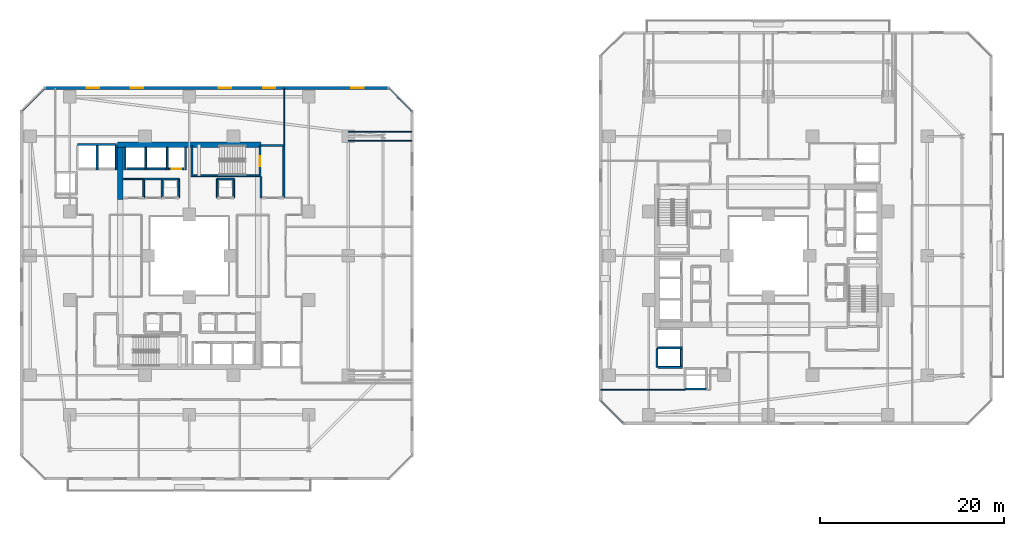
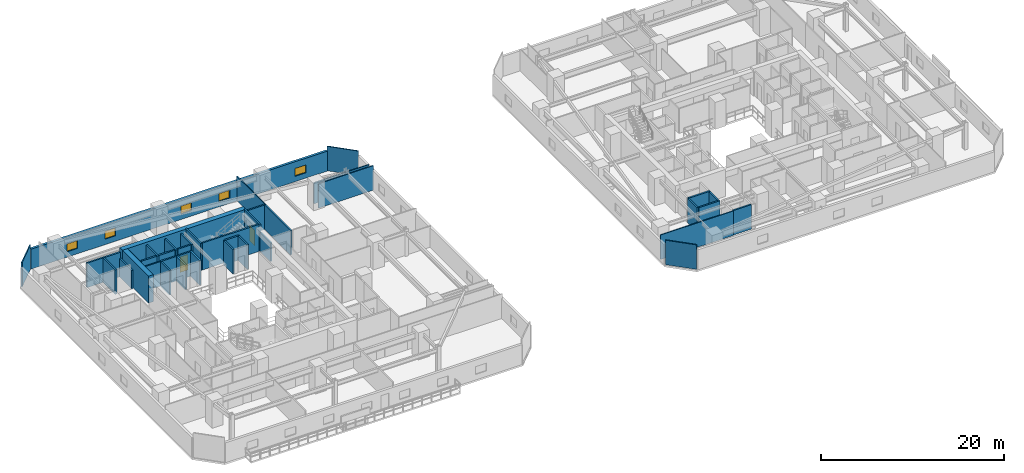
# One storey, part 24 of 36: 40 walls, 5 windows, 2 doors, 7 openings.
"""IFC4 building model written with IfcOpenShell, lengths in metres."""

from ifc_helpers import new_model, si_unit, direction, frame, frame_2d, origin, place, context, subcontext, project, spatial, rectangle, extrude, material, layer, layer_set, type_object, element, fill, save


model = new_model("IFC4")

# Units and contexts
model_context = context("Model", 3, precision=1e-05, world=origin(), true_north=direction((0.0, 1.0)))
body_context = subcontext(model_context, "Body", "Model", "MODEL_VIEW")
ifc_project = project(units=[si_unit("LENGTHUNIT", "METRE"), si_unit("AREAUNIT", "SQUARE_METRE"), si_unit("VOLUMEUNIT", "CUBIC_METRE"), si_unit("PLANEANGLEUNIT", "RADIAN"), si_unit("MASSUNIT", "GRAM", prefix="KILO")], contexts=[model_context])

# Site, building, storey
site_placement = place(None, origin())
site = spatial("IfcSite", under=ifc_project, at=site_placement, CompositionType="ELEMENT")
building_placement = place(site_placement, origin())
building = spatial("IfcBuilding", under=site, at=building_placement, Name="Thornwick Lancets Civic Towers", CompositionType="ELEMENT")
storey_placement = place(building_placement, frame((0.0, 0.0, 68.10009765625)))
storey = spatial("IfcBuildingStorey", under=building, at=storey_placement, Name="L17", CompositionType="ELEMENT", Elevation=68.10009765625)

# Wall, opening, door
ifc_material_1 = material(Name="Concrete blockwork C40/50", Category="masonry")
ifc_layer_1 = layer(ifc_material_1, 0.199951171875, Name="Concrete blockwork C40/50")
ifc_layer_set_1 = layer_set([ifc_layer_1], Name="Concrete blockwork C40/50")
wall_type_1 = type_object("IfcWallType", Name="WALL_COMP_200", PredefinedType="STANDARD", material=ifc_layer_set_1)
wall_1_placement = place(storey_placement, frame((24.919921875, 36.449951171875, 0.0), z_axis=(0.0, 0.0, 1.0), x_axis=(-1.0, 0.0, 0.0)))
wall_1 = element("IfcWall", 1, at=wall_1_placement, inside=storey, type_object=wall_type_1, Name="L17 Hoistway Front Wall FL-A2", PredefinedType="STANDARD", context=body_context, shape_type="SweptSolid", body=[
    extrude(rectangle(XDim=1.639892578125, YDim=0.199951171875, at=frame_2d((0.81982421875, 0.0))), origin(), (0.0, 0.0, 1.0), 3.260009765625),
])
opening_1_placement = place(wall_1_placement, frame((0.31005859375, 0.0, 0.0)))
opening_1 = element("IfcOpeningElement", 2, at=opening_1_placement, cuts=wall_1, Name="Opening LD-FL-A2", PredefinedType="OPENING", context=body_context, shape_type="SweptSolid", body=[
    extrude(rectangle(XDim=1.02001953125, YDim=2.06005859375, at=frame_2d((0.510009765625, 1.030029296875))), frame((0.0, 0.10986328125, 0.0), z_axis=(0.0, -1.0, 0.0), x_axis=(1.0, 0.0, 0.0)), (0.0, 0.0, 1.0), 0.219970703125),
])
ifc_material_2 = material(Name="Brushed bronze stainless steel", Category="steel")
door_type_1 = type_object("IfcDoorType", Name="DOOR_LIFT_SLIDE", OperationType="SLIDING_TO_LEFT", PredefinedType="DOOR", material=ifc_material_2)
door_1_placement = place(opening_1_placement, origin())
door_1 = element("IfcDoor", 3, at=door_1_placement, inside=storey, type_object=door_type_1, Name="L17 Sliding Lift Landing Door LD-FL-A2", OperationType="SLIDING_TO_LEFT", OverallHeight=2.06005859375, OverallWidth=1.02001953125, PredefinedType="DOOR", context=body_context, shape_type="SweptSolid", body=[
    extrude(rectangle(XDim=1.02001953125, YDim=2.06005859375, at=frame_2d((0.510009765625, 1.030029296875))), frame((0.0, 0.02490234375, 0.0), z_axis=(0.0, -1.0, 0.0), x_axis=(1.0, 0.0, 0.0)), (0.0, 0.0, 1.0), 0.050048828125),
])
fill(opening_1, door_1)

# Walls
wall_2_placement = place(storey_placement, frame((22.919921875, 36.449951171875, 0.0), z_axis=(0.0, 0.0, 1.0), x_axis=(-1.0, 0.0, 0.0)))
element("IfcWall", 4, at=wall_2_placement, inside=storey, type_object=wall_type_1, Name="L17 Hoistway Front Wall PL-AH2", PredefinedType="STANDARD", context=body_context, shape_type="SweptSolid", body=[
    extrude(rectangle(XDim=1.989990234375, YDim=0.199951171875, at=frame_2d((0.9951171875, 0.0))), origin(), (0.0, 0.0, 1.0), 3.260009765625),
])
wall_3_placement = place(storey_placement, frame((20.6201171875, 36.449951171875, 0.0), z_axis=(0.0, 0.0, 1.0), x_axis=(-1.0, 0.0, 0.0)))
element("IfcWall", 5, at=wall_3_placement, inside=storey, type_object=wall_type_1, Name="L17 Hoistway Front Wall PL-AH3", PredefinedType="STANDARD", context=body_context, shape_type="SweptSolid", body=[
    extrude(rectangle(XDim=1.940185546875, YDim=0.199951171875, at=frame_2d((0.97021484375, 0.0))), origin(), (0.0, 0.0, 1.0), 3.260009765625),
])
wall_4_placement = place(storey_placement, frame((79.050048828125, 15.030029296875, 0.0), z_axis=(0.0, 0.0, 1.0), x_axis=(0.0, 1.0, 0.0)))
element("IfcWall", 6, at=wall_4_placement, inside=storey, type_object=wall_type_1, Name="L17 Hoistway Front Wall PL-BM2", PredefinedType="STANDARD", context=body_context, shape_type="SweptSolid", body=[
    extrude(rectangle(XDim=1.7900390625, YDim=0.199951171875, at=frame_2d((0.89501953125, 0.0))), origin(), (0.0, 0.0, 1.0), 3.260009765625),
])
for number, where, z_axis, x_axis, name in (
    (7, (25.10009765625, 36.35205078125, 0.0), (0.0, 0.0, 1.0), (0.0, 1.0, 0.0), "L17 Hoistway Shaft Wall FL-A2 E"),
    (8, (23.10009765625, 36.35205078125, 0.0), (0.0, 0.0, 1.0), (0.0, 1.0, 0.0), "L17 Hoistway Shaft Wall FL-A2 W"),
    (9, (20.77490234375, 36.35205078125, 0.0), (0.0, 0.0, 1.0), (0.0, 1.0, 0.0), "L17 Hoistway Shaft Wall PL-AH2 W"),
    (10, (18.5, 36.35205078125, 0.0), (0.0, 0.0, 1.0), (0.0, 1.0, 0.0), "L17 Hoistway Shaft Wall PL-AH3 W"),
):
    element("IfcWall", number, at=place(storey_placement, frame(where, z_axis=z_axis, x_axis=x_axis)), inside=storey, type_object=wall_type_1, Name=name, PredefinedType="STANDARD", context=body_context, shape_type="SweptSolid", body=[
        extrude(rectangle(XDim=2.43603515625, YDim=0.199951171875, at=frame_2d((1.218017578125, 0.0))), origin(), (0.0, 0.0, 1.0), 3.260009765625),
    ])
wall_5_placement = place(storey_placement, frame((13.35205078125, 39.10009765625, 0.0), z_axis=(0.0, 0.0, 1.0), x_axis=(1.0, 0.0, 0.0)))
element("IfcWall", 11, at=wall_5_placement, inside=storey, type_object=wall_type_1, Name="L17 Hoistway Shaft Wall PL-AM1 N", PredefinedType="STANDARD", context=body_context, shape_type="SweptSolid", body=[
    extrude(rectangle(XDim=4.196044921875, YDim=0.199951171875, at=frame_2d((2.09814453125, 0.0))), origin(), (0.0, 0.0, 1.0), 3.260009765625),
])
wall_6_placement = place(storey_placement, frame((17.550048828125, 36.35205078125, 0.0), z_axis=(0.0, 0.0, 1.0), x_axis=(0.0, 1.0, 0.0)))
element("IfcWall", 12, at=wall_6_placement, inside=storey, type_object=wall_type_1, Name="L17 Hoistway Shaft Wall PL-AM1 E", PredefinedType="STANDARD", context=body_context, shape_type="SweptSolid", body=[
    extrude(rectangle(XDim=2.635986328125, YDim=0.199951171875, at=frame_2d((1.31787109375, 0.0))), origin(), (0.0, 0.0, 1.0), 2.46484375),
])
wall_7_placement = place(storey_placement, frame((15.47509765625, 36.35205078125, 0.0), z_axis=(0.0, 0.0, 1.0), x_axis=(0.0, 1.0, 0.0)))
element("IfcWall", 13, at=wall_7_placement, inside=storey, type_object=wall_type_1, Name="L17 Hoistway Shaft Wall PL-AM1 W", PredefinedType="STANDARD", context=body_context, shape_type="SweptSolid", body=[
    extrude(rectangle(XDim=2.635986328125, YDim=0.199951171875, at=frame_2d((1.31787109375, 0.0))), origin(), (0.0, 0.0, 1.0), 3.260009765625),
])
wall_8_placement = place(storey_placement, frame((76.402099609375, 16.97509765625, 0.0), z_axis=(0.0, 0.0, 1.0), x_axis=(1.0, 0.0, 0.0)))
element("IfcWall", 14, at=wall_8_placement, inside=storey, type_object=wall_type_1, Name="L17 Hoistway Shaft Wall PL-BM1 S", PredefinedType="STANDARD", context=body_context, shape_type="SweptSolid", body=[
    extrude(rectangle(XDim=2.745849609375, YDim=0.199951171875, at=frame_2d((1.373046875, 0.0))), origin(), (0.0, 0.0, 1.0), 3.260009765625),
])
wall_9_placement = place(storey_placement, frame((76.39990234375, 14.85205078125, 0.0), z_axis=(0.0, 0.0, 1.0), x_axis=(0.0, 1.0, 0.0)))
element("IfcWall", 15, at=wall_9_placement, inside=storey, type_object=wall_type_1, Name="L17 Hoistway Shaft Wall PL-BM1 W", PredefinedType="STANDARD", context=body_context, shape_type="SweptSolid", body=[
    extrude(rectangle(XDim=2.015869140625, YDim=0.199951171875, at=frame_2d((1.0078125, 0.0))), origin(), (0.0, 0.0, 1.0), 3.260009765625),
])
wall_10_placement = place(storey_placement, frame((76.511962890625, 14.85009765625, 0.0), z_axis=(0.0, 0.0, 1.0), x_axis=(1.0, 0.0, 0.0)))
element("IfcWall", 16, at=wall_10_placement, inside=storey, type_object=wall_type_1, Name="L17 Hoistway Shaft Wall PL-BM2 S", PredefinedType="STANDARD", context=body_context, shape_type="SweptSolid", body=[
    extrude(rectangle(XDim=2.635986328125, YDim=0.199951171875, at=frame_2d((1.31787109375, 0.0))), origin(), (0.0, 0.0, 1.0), 3.260009765625),
])
wall_11_placement = place(storey_placement, frame((79.451904296875, 12.5, 0.0), z_axis=(0.0, 0.0, 1.0), x_axis=(1.0, 0.0, 0.0)))
element("IfcWall", 17, at=wall_11_placement, inside=storey, type_object=wall_type_1, Name="L17 Hoistway Shaft Wall PL-BM3 S", PredefinedType="STANDARD", context=body_context, shape_type="SweptSolid", body=[
    extrude(rectangle(XDim=2.296142578125, YDim=0.199951171875, at=frame_2d((1.14794921875, 0.0))), origin(), (0.0, 0.0, 1.0), 3.260009765625),
])
wall_12_placement = place(storey_placement, frame((35.800048828125, 33.300048828125, 0.0), z_axis=(0.0, 0.0, 1.0), x_axis=(0.0, 1.0, 0.0)))
element("IfcWall", 18, at=wall_12_placement, inside=storey, type_object=wall_type_1, Name="L17 Partition L17-A-FFLOB2 E2", PredefinedType="STANDARD", context=body_context, shape_type="SweptSolid", body=[
    extrude(rectangle(XDim=5.699951171875, YDim=0.199951171875, at=frame_2d((2.85009765625, 0.0))), origin(), (0.0, 0.0, 1.0), 3.260009765625),
])
wall_13_placement = place(storey_placement, frame((35.800048828125, 39.0, 0.0), z_axis=(0.0, 0.0, 1.0), x_axis=(-1.0, 0.0, 0.0)))
element("IfcWall", 19, at=wall_13_placement, inside=storey, type_object=wall_type_1, Name="L17 Partition L17-A-FFLOB2 E3", PredefinedType="STANDARD", context=body_context, shape_type="SweptSolid", body=[
    extrude(rectangle(XDim=2.5, YDim=0.199951171875, at=frame_2d((1.25, 0.0))), origin(), (0.0, 0.0, 1.0), 3.260009765625),
])
wall_14_placement = place(storey_placement, frame((33.300048828125, 35.60009765625, 0.0), z_axis=(0.0, 0.0, 1.0), x_axis=(0.0, -1.0, 0.0)))
element("IfcWall", 20, at=wall_14_placement, inside=storey, type_object=wall_type_1, Name="L17 Partition L17-A-FFLOB2 E4", PredefinedType="STANDARD", context=body_context, shape_type="SweptSolid", body=[
    extrude(rectangle(XDim=2.300048828125, YDim=0.199951171875, at=frame_2d((1.14990234375, 0.0))), origin(), (0.0, 0.0, 1.0), 2.46484375),
])
wall_15_placement = place(storey_placement, frame((24.35009765625, 33.300048828125, 0.0), z_axis=(0.0, 0.0, 1.0), x_axis=(0.0, 1.0, 0.0)))
element("IfcWall", 21, at=wall_15_placement, inside=storey, type_object=wall_type_1, Name="L17 Partition L17-A-DUCT2 E2", PredefinedType="STANDARD", context=body_context, shape_type="SweptSolid", body=[
    extrude(rectangle(XDim=2.050048828125, YDim=0.199951171875, at=frame_2d((1.02490234375, 0.0))), origin(), (0.0, 0.0, 1.0), 3.260009765625),
])
wall_16_placement = place(storey_placement, frame((24.35009765625, 35.35009765625, 0.0), z_axis=(0.0, 0.0, 1.0), x_axis=(-1.0, 0.0, 0.0)))
element("IfcWall", 22, at=wall_16_placement, inside=storey, type_object=wall_type_1, Name="L17 Partition L17-A-DUCT2 E3", PredefinedType="STANDARD", context=body_context, shape_type="SweptSolid", body=[
    extrude(rectangle(XDim=1.800048828125, YDim=0.199951171875, at=frame_2d((0.89990234375, 0.0))), origin(), (0.0, 0.0, 1.0), 3.260009765625),
])
for number, where, z_axis, x_axis, name in (
    (23, (22.550048828125, 35.35009765625, 0.0), (0.0, 0.0, 1.0), (0.0, -1.0, 0.0), "L17 Partition L17-A-DUCT2 E4"),
    (24, (30.35009765625, 33.300048828125, 0.0), (0.0, 0.0, 1.0), (0.0, 1.0, 0.0), "L17 Partition L17-A-RISER2 E2"),
):
    element("IfcWall", number, at=place(storey_placement, frame(where, z_axis=z_axis, x_axis=x_axis)), inside=storey, type_object=wall_type_1, Name=name, PredefinedType="STANDARD", context=body_context, shape_type="SweptSolid", body=[
        extrude(rectangle(XDim=2.050048828125, YDim=0.199951171875, at=frame_2d((1.02490234375, 0.0))), origin(), (0.0, 0.0, 1.0), 3.260009765625),
    ])
wall_17_placement = place(storey_placement, frame((30.35009765625, 35.35009765625, 0.0), z_axis=(0.0, 0.0, 1.0), x_axis=(-1.0, 0.0, 0.0)))
element("IfcWall", 25, at=wall_17_placement, inside=storey, type_object=wall_type_1, Name="L17 Partition L17-A-RISER2 E3", PredefinedType="STANDARD", context=body_context, shape_type="SweptSolid", body=[
    extrude(rectangle(XDim=1.800048828125, YDim=0.199951171875, at=frame_2d((0.89990234375, 0.0))), origin(), (0.0, 0.0, 1.0), 3.260009765625),
])
for number, where, z_axis, x_axis, name in (
    (26, (28.550048828125, 35.35009765625, 0.0), (0.0, 0.0, 1.0), (0.0, -1.0, 0.0), "L17 Partition L17-A-RISER2 E4"),
    (27, (20.550048828125, 33.300048828125, 0.0), (0.0, 0.0, 1.0), (0.0, 1.0, 0.0), "L17 Partition L17-A-STR E1"),
):
    element("IfcWall", number, at=place(storey_placement, frame(where, z_axis=z_axis, x_axis=x_axis)), inside=storey, type_object=wall_type_1, Name=name, PredefinedType="STANDARD", context=body_context, shape_type="SweptSolid", body=[
        extrude(rectangle(XDim=2.050048828125, YDim=0.199951171875, at=frame_2d((1.02490234375, 0.0))), origin(), (0.0, 0.0, 1.0), 3.260009765625),
    ])
wall_18_placement = place(storey_placement, frame((20.550048828125, 35.35009765625, 0.0), z_axis=(0.0, 0.0, 1.0), x_axis=(1.0, 0.0, 0.0)))
element("IfcWall", 28, at=wall_18_placement, inside=storey, type_object=wall_type_1, Name="L17 Partition L17-A-STR E2", PredefinedType="STANDARD", context=body_context, shape_type="SweptSolid", body=[
    extrude(rectangle(XDim=2.0, YDim=0.199951171875, at=frame_2d((1.0, 0.0))), origin(), (0.0, 0.0, 1.0), 3.260009765625),
])
ifc_material_3 = material(Name="Concrete C60/75", Category="concrete")
ifc_layer_2 = layer(ifc_material_3, 0.60009765625, Name="Concrete C60/75")
ifc_layer_set_2 = layer_set([ifc_layer_2], Name="Concrete C60/75")
wall_type_2 = type_object("IfcWallType", Name="WALL_CORE_600", PredefinedType="SHEAR", material=ifc_layer_set_2)
wall_19_placement = place(storey_placement, frame((17.699951171875, 39.10009765625, 0.0), z_axis=(0.0, 0.0, 1.0), x_axis=(1.0, 0.0, 0.0)))
element("IfcWall", 29, at=wall_19_placement, inside=storey, type_object=wall_type_2, Name="L17 Split Core A2 Shear Wall N", PredefinedType="SHEAR", context=body_context, shape_type="SweptSolid", body=[
    extrude(rectangle(XDim=15.60009765625, YDim=0.60009765625, at=frame_2d((7.800048828125, 0.0))), origin(), (0.0, 0.0, 1.0), 3.599853515625),
])
wall_20_placement = place(storey_placement, frame((18.0, 33.10009765625, 0.0), z_axis=(0.0, 0.0, 1.0), x_axis=(0.0, 1.0, 0.0)))
element("IfcWall", 30, at=wall_20_placement, inside=storey, type_object=wall_type_2, Name="L17 Split Core A2 Shear Wall W", PredefinedType="SHEAR", context=body_context, shape_type="SweptSolid", body=[
    extrude(rectangle(XDim=5.699951171875, YDim=0.60009765625, at=frame_2d((2.85009765625, 0.0))), origin(), (0.0, 0.0, 1.0), 3.599853515625),
])

# Wall, openings, windows
ifc_material_4 = material(Name="Insulated russet terracotta rainscreen on concrete C40/50", Category="masonry")
ifc_layer_3 = layer(ifc_material_4, 0.300048828125, Name="Insulated russet terracotta rainscreen on concrete C40/50")
ifc_layer_set_3 = layer_set([ifc_layer_3], Name="Insulated russet terracotta rainscreen on concrete C40/50")
wall_type_3 = type_object("IfcWallType", Name="WALL_EXT_RUSSET_300", PredefinedType="STANDARD", material=ifc_layer_set_3)
wall_21_placement = place(storey_placement, frame((47.18115234375, 45.264892578125, 0.0), z_axis=(0.0, 0.0, 1.0), x_axis=(-1.0, 0.0, 0.0)))
wall_21 = element("IfcWall", 31, at=wall_21_placement, inside=storey, type_object=wall_type_3, Name="L17 Tower A Terracotta Facade Wall E4", PredefinedType="STANDARD", context=body_context, shape_type="SweptSolid", body=[
    extrude(rectangle(XDim=37.3623046875, YDim=0.300048828125, at=frame_2d((18.68115234375, 0.0))), origin(), (0.0, 0.0, 1.0), 2.659912109375),
])
opening_2_placement = place(wall_21_placement, frame((2.699951171875, 0.0, 0.719970703125)))
opening_2 = element("IfcOpeningElement", 32, at=opening_2_placement, cuts=wall_21, Name="Opening WL-03", PredefinedType="OPENING", context=body_context, shape_type="SweptSolid", body=[
    extrude(rectangle(XDim=1.35009765625, YDim=1.050048828125, at=frame_2d((0.675048828125, 0.52490234375))), frame((0.0, 0.16015625, 0.0), z_axis=(0.0, -1.0, 0.0), x_axis=(1.0, 0.0, 0.0)), (0.0, 0.0, 1.0), 0.320068359375),
])
opening_3_placement = place(wall_21_placement, frame((12.300048828125, 0.0, 0.719970703125)))
opening_3 = element("IfcOpeningElement", 33, at=opening_3_placement, cuts=wall_21, Name="Opening WL-03", PredefinedType="OPENING", context=body_context, shape_type="SweptSolid", body=[
    extrude(rectangle(XDim=1.35009765625, YDim=1.050048828125, at=frame_2d((0.675048828125, 0.52490234375))), frame((0.0, 0.16015625, 0.0), z_axis=(0.0, -1.0, 0.0), x_axis=(1.0, 0.0, 0.0)), (0.0, 0.0, 1.0), 0.320068359375),
])
opening_4_placement = place(wall_21_placement, frame((17.10009765625, 0.0, 0.719970703125)))
opening_4 = element("IfcOpeningElement", 34, at=opening_4_placement, cuts=wall_21, Name="Opening WL-03", PredefinedType="OPENING", context=body_context, shape_type="SweptSolid", body=[
    extrude(rectangle(XDim=1.35009765625, YDim=1.050048828125, at=frame_2d((0.675048828125, 0.52490234375))), frame((0.0, 0.16015625, 0.0), z_axis=(0.0, -1.0, 0.0), x_axis=(1.0, 0.0, 0.0)), (0.0, 0.0, 1.0), 0.320068359375),
])
opening_5_placement = place(wall_21_placement, frame((26.699951171875, 0.0, 0.719970703125)))
opening_5 = element("IfcOpeningElement", 35, at=opening_5_placement, cuts=wall_21, Name="Opening WL-03", PredefinedType="OPENING", context=body_context, shape_type="SweptSolid", body=[
    extrude(rectangle(XDim=1.35009765625, YDim=1.050048828125, at=frame_2d((0.675048828125, 0.52490234375))), frame((0.0, 0.16015625, 0.0), z_axis=(0.0, -1.0, 0.0), x_axis=(1.0, 0.0, 0.0)), (0.0, 0.0, 1.0), 0.320068359375),
])
opening_6_placement = place(wall_21_placement, frame((31.5, 0.0, 0.719970703125)))
opening_6 = element("IfcOpeningElement", 36, at=opening_6_placement, cuts=wall_21, Name="Opening WL-03", PredefinedType="OPENING", context=body_context, shape_type="SweptSolid", body=[
    extrude(rectangle(XDim=1.35009765625, YDim=1.050048828125, at=frame_2d((0.675048828125, 0.52490234375))), frame((0.0, 0.16015625, 0.0), z_axis=(0.0, -1.0, 0.0), x_axis=(1.0, 0.0, 0.0)), (0.0, 0.0, 1.0), 0.320068359375),
])
ifc_material_5 = material(Name="Clear low-e double glazing clerestory lancet", Category="glass")
window_type = type_object("IfcWindowType", Name="WIN_LANCET_1350", PartitioningType="SINGLE_PANEL", PredefinedType="WINDOW", material=ifc_material_5)
window_1_placement = place(opening_2_placement, origin())
window_1 = element("IfcWindow", 37, at=window_1_placement, inside=storey, type_object=window_type, Name="L17 Tower A Staggered Lancet Window E4-1", OverallHeight=1.050048828125, OverallWidth=1.35009765625, PartitioningType="SINGLE_PANEL", PredefinedType="WINDOW", context=body_context, shape_type="SweptSolid", body=[
    extrude(rectangle(XDim=1.35009765625, YDim=1.050048828125, at=frame_2d((0.675048828125, 0.52490234375))), frame((0.0, 0.030029296875, 0.0), z_axis=(0.0, -1.0, 0.0), x_axis=(1.0, 0.0, 0.0)), (0.0, 0.0, 1.0), 0.06005859375),
])
fill(opening_2, window_1)
window_2_placement = place(opening_3_placement, origin())
window_2 = element("IfcWindow", 38, at=window_2_placement, inside=storey, type_object=window_type, Name="L17 Tower A Staggered Lancet Window E4-2", OverallHeight=1.050048828125, OverallWidth=1.35009765625, PartitioningType="SINGLE_PANEL", PredefinedType="WINDOW", context=body_context, shape_type="SweptSolid", body=[
    extrude(rectangle(XDim=1.35009765625, YDim=1.050048828125, at=frame_2d((0.675048828125, 0.52490234375))), frame((0.0, 0.030029296875, 0.0), z_axis=(0.0, -1.0, 0.0), x_axis=(1.0, 0.0, 0.0)), (0.0, 0.0, 1.0), 0.06005859375),
])
fill(opening_3, window_2)
window_3_placement = place(opening_4_placement, origin())
window_3 = element("IfcWindow", 39, at=window_3_placement, inside=storey, type_object=window_type, Name="L17 Tower A Staggered Lancet Window E4-3", OverallHeight=1.050048828125, OverallWidth=1.35009765625, PartitioningType="SINGLE_PANEL", PredefinedType="WINDOW", context=body_context, shape_type="SweptSolid", body=[
    extrude(rectangle(XDim=1.35009765625, YDim=1.050048828125, at=frame_2d((0.675048828125, 0.52490234375))), frame((0.0, 0.030029296875, 0.0), z_axis=(0.0, -1.0, 0.0), x_axis=(1.0, 0.0, 0.0)), (0.0, 0.0, 1.0), 0.06005859375),
])
fill(opening_4, window_3)
window_4_placement = place(opening_5_placement, origin())
window_4 = element("IfcWindow", 40, at=window_4_placement, inside=storey, type_object=window_type, Name="L17 Tower A Staggered Lancet Window E4-4", OverallHeight=1.050048828125, OverallWidth=1.35009765625, PartitioningType="SINGLE_PANEL", PredefinedType="WINDOW", context=body_context, shape_type="SweptSolid", body=[
    extrude(rectangle(XDim=1.35009765625, YDim=1.050048828125, at=frame_2d((0.675048828125, 0.52490234375))), frame((0.0, 0.030029296875, 0.0), z_axis=(0.0, -1.0, 0.0), x_axis=(1.0, 0.0, 0.0)), (0.0, 0.0, 1.0), 0.06005859375),
])
fill(opening_5, window_4)
window_5_placement = place(opening_6_placement, origin())
window_5 = element("IfcWindow", 41, at=window_5_placement, inside=storey, type_object=window_type, Name="L17 Tower A Staggered Lancet Window E4-5", OverallHeight=1.050048828125, OverallWidth=1.35009765625, PartitioningType="SINGLE_PANEL", PredefinedType="WINDOW", context=body_context, shape_type="SweptSolid", body=[
    extrude(rectangle(XDim=1.35009765625, YDim=1.050048828125, at=frame_2d((0.675048828125, 0.52490234375))), frame((0.0, 0.030029296875, 0.0), z_axis=(0.0, -1.0, 0.0), x_axis=(1.0, 0.0, 0.0)), (0.0, 0.0, 1.0), 0.06005859375),
])
fill(opening_6, window_5)

# Walls
ifc_material_6 = material(Name="Acoustic gypsum board partition")
ifc_layer_4 = layer(ifc_material_6, 0.1201171875, Name="Acoustic gypsum board partition")
ifc_layer_set_4 = layer_set([ifc_layer_4], Name="Acoustic gypsum board partition")
wall_type_4 = type_object("IfcWallType", Name="WALL_PART_120", PredefinedType="PARTITIONING", material=ifc_layer_set_4)
wall_22_placement = place(storey_placement, frame((7.280029296875, 42.725341796875, 0.0), z_axis=(0.0, 0.0, 1.0), x_axis=(0.707106781187, 0.707106781187, 0.0)))
element("IfcWall", 42, at=wall_22_placement, inside=storey, type_object=wall_type_4, Name="L17 Partition L17-A-W3 E7", PredefinedType="PARTITIONING", context=body_context, shape_type="SweptSolid", body=[
    extrude(rectangle(XDim=3.52783203125, YDim=0.1201171875, at=frame_2d((1.763916015625, 0.0))), origin(), (0.0, 0.0, 1.0), 3.260009765625),
])
wall_23_placement = place(storey_placement, frame((35.85009765625, 39.0, 0.0), z_axis=(0.0, 0.0, 1.0), x_axis=(0.0, 1.0, 0.0)))
element("IfcWall", 43, at=wall_23_placement, inside=storey, type_object=wall_type_4, Name="L17 Partition L17-A-E3 E5", PredefinedType="PARTITIONING", context=body_context, shape_type="SweptSolid", body=[
    extrude(rectangle(XDim=6.219970703125, YDim=0.1201171875, at=frame_2d((3.10986328125, 0.0))), origin(), (0.0, 0.0, 1.0), 3.260009765625),
])
wall_24_placement = place(storey_placement, frame((47.225341796875, 45.219970703125, 0.0), z_axis=(0.0, 0.0, 1.0), x_axis=(0.707106781187, -0.707106781187, 0.0)))
element("IfcWall", 44, at=wall_24_placement, inside=storey, type_object=wall_type_4, Name="L17 Partition L17-A-E3 E11", PredefinedType="PARTITIONING", context=body_context, shape_type="SweptSolid", body=[
    extrude(rectangle(XDim=3.52783203125, YDim=0.1201171875, at=frame_2d((1.763916015625, 0.0))), origin(), (0.0, 0.0, 1.0), 3.260009765625),
])
wall_25_placement = place(storey_placement, frame((49.719970703125, 40.47998046875, 0.0), z_axis=(0.0, 0.0, 1.0), x_axis=(-1.0, 0.0, 0.0)))
element("IfcWall", 45, at=wall_25_placement, inside=storey, type_object=wall_type_4, Name="L17 Partition L17-A-E3 E13", PredefinedType="PARTITIONING", context=body_context, shape_type="SweptSolid", body=[
    extrude(rectangle(XDim=6.919921875, YDim=0.1201171875, at=frame_2d((3.4599609375, 0.0))), origin(), (0.0, 0.0, 1.0), 2.81494140625),
])
wall_26_placement = place(storey_placement, frame((42.800048828125, 39.52001953125, 0.0), z_axis=(0.0, 0.0, 1.0), x_axis=(1.0, 0.0, 0.0)))
element("IfcWall", 46, at=wall_26_placement, inside=storey, type_object=wall_type_4, Name="L17 Partition L17-A-E3 E15", PredefinedType="PARTITIONING", context=body_context, shape_type="SweptSolid", body=[
    extrude(rectangle(XDim=6.919921875, YDim=0.1201171875, at=frame_2d((3.4599609375, 0.0))), origin(), (0.0, 0.0, 1.0), 3.260009765625),
])
wall_27_placement = place(storey_placement, frame((72.774658203125, 8.780029296875, 0.0), z_axis=(0.0, 0.0, 1.0), x_axis=(-0.707106781187, 0.707106781187, 0.0)))
element("IfcWall", 47, at=wall_27_placement, inside=storey, type_object=wall_type_4, Name="L17 Partition L17-B-W3 E7", PredefinedType="PARTITIONING", context=body_context, shape_type="SweptSolid", body=[
    extrude(rectangle(XDim=3.52783203125, YDim=0.1201171875, at=frame_2d((1.763916015625, 0.0))), origin(), (0.0, 0.0, 1.0), 3.260009765625),
])
wall_28_placement = place(storey_placement, frame((70.280029296875, 12.39990234375, 0.0), z_axis=(0.0, 0.0, 1.0), x_axis=(1.0, 0.0, 0.0)))
element("IfcWall", 48, at=wall_28_placement, inside=storey, type_object=wall_type_4, Name="L17 Partition L17-B-W3 E9", PredefinedType="PARTITIONING", context=body_context, shape_type="SweptSolid", body=[
    extrude(rectangle(XDim=9.171875, YDim=0.1201171875, at=frame_2d((4.5859375, 0.0))), origin(), (0.0, 0.0, 1.0), 3.260009765625),
])
ifc_material_7 = material(Name="Twin-stud acoustic gypsum board")
ifc_layer_5 = layer(ifc_material_7, 0.14990234375, Name="Twin-stud acoustic gypsum board")
ifc_layer_set_5 = layer_set([ifc_layer_5], Name="Twin-stud acoustic gypsum board")
wall_type_5 = type_object("IfcWallType", Name="WALL_PART_150", PredefinedType="PARTITIONING", material=ifc_layer_set_5)
wall_29_placement = place(storey_placement, frame((20.550048828125, 35.35009765625, 0.0), z_axis=(0.0, 0.0, 1.0), x_axis=(-1.0, 0.0, 0.0)))
element("IfcWall", 49, at=wall_29_placement, inside=storey, type_object=wall_type_5, Name="L17 Partition L17-A-AWC E3", PredefinedType="PARTITIONING", context=body_context, shape_type="SweptSolid", body=[
    extrude(rectangle(XDim=2.25, YDim=0.14990234375, at=frame_2d((1.125, 0.0))), origin(), (0.0, 0.0, 1.0), 3.260009765625),
])

# Wall, opening, door
ifc_material_8 = material(Name="Concrete C40/50", Category="concrete")
ifc_layer_6 = layer(ifc_material_8, 0.199951171875, Name="Concrete C40/50")
ifc_layer_set_6 = layer_set([ifc_layer_6], Name="Concrete C40/50")
wall_type_6 = type_object("IfcWallType", Name="WALL_SHAFT_200", PredefinedType="SHEAR", material=ifc_layer_set_6)
wall_30_placement = place(storey_placement, frame((33.199951171875, 38.949951171875, 0.0), z_axis=(0.0, 0.0, 1.0), x_axis=(0.0, -1.0, 0.0)))
wall_30 = element("IfcWall", 50, at=wall_30_placement, inside=storey, type_object=wall_type_6, Name="L17 ST-A2 Fire Stair Core Wall NEAR", PredefinedType="SHEAR", context=body_context, shape_type="SweptSolid", body=[
    extrude(rectangle(XDim=3.349853515625, YDim=0.199951171875, at=frame_2d((1.6748046875, 0.0))), origin(), (0.0, 0.0, 1.0), 3.599853515625),
])
opening_7_placement = place(wall_30_placement, frame((1.125, 0.0, 0.0)))
opening_7 = element("IfcOpeningElement", 51, at=opening_7_placement, cuts=wall_30, Name="Opening D-ST-A2-L17", PredefinedType="OPENING", context=body_context, shape_type="SweptSolid", body=[
    extrude(rectangle(XDim=1.10009765625, YDim=2.10009765625, at=frame_2d((0.550048828125, 1.050048828125))), frame((0.0, 0.10986328125, 0.0), z_axis=(0.0, -1.0, 0.0), x_axis=(1.0, 0.0, 0.0)), (0.0, 0.0, 1.0), 0.219970703125),
])
ifc_material_9 = material(Name="Fire-resisting steel and hardwood", Category="steel")
door_type_2 = type_object("IfcDoorType", Name="DOOR_STAIR_FD60", OperationType="NOTDEFINED", PredefinedType="DOOR", material=ifc_material_9)
door_2_placement = place(opening_7_placement, origin())
door_2 = element("IfcDoor", 52, at=door_2_placement, inside=storey, type_object=door_type_2, Name="L17 ST-A2 Exit Stair Door", OperationType="SINGLE_SWING_LEFT", OverallHeight=2.10009765625, OverallWidth=1.10009765625, PredefinedType="DOOR", context=body_context, shape_type="SweptSolid", body=[
    extrude(rectangle(XDim=1.10009765625, YDim=2.10009765625, at=frame_2d((0.550048828125, 1.050048828125))), frame((0.0, 0.02490234375, 0.0), z_axis=(0.0, -1.0, 0.0), x_axis=(1.0, 0.0, 0.0)), (0.0, 0.0, 1.0), 0.050048828125),
])
fill(opening_7, door_2)

# Walls
wall_31_placement = place(storey_placement, frame((25.800048828125, 35.60009765625, 0.0), z_axis=(0.0, 0.0, 1.0), x_axis=(0.0, 1.0, 0.0)))
element("IfcWall", 53, at=wall_31_placement, inside=storey, type_object=wall_type_6, Name="L17 ST-A2 Fire Stair Core Wall FAR", PredefinedType="SHEAR", context=body_context, shape_type="SweptSolid", body=[
    extrude(rectangle(XDim=3.349853515625, YDim=0.199951171875, at=frame_2d((1.6748046875, 0.0))), origin(), (0.0, 0.0, 1.0), 3.599853515625),
])
wall_32_placement = place(storey_placement, frame((25.949951171875, 35.702880859375, 0.0), z_axis=(0.0, 0.0, 1.0), x_axis=(1.0, 0.0, 0.0)))
element("IfcWall", 54, at=wall_32_placement, inside=storey, type_object=wall_type_6, Name="L17 ST-A2 Fire Stair Core Wall RIGHT", PredefinedType="SHEAR", context=body_context, shape_type="SweptSolid", body=[
    extrude(rectangle(XDim=7.10009765625, YDim=0.199951171875, at=frame_2d((3.550048828125, 0.0))), origin(), (0.0, 0.0, 1.0), 3.599853515625),
])

save(model, "model.ifc")
